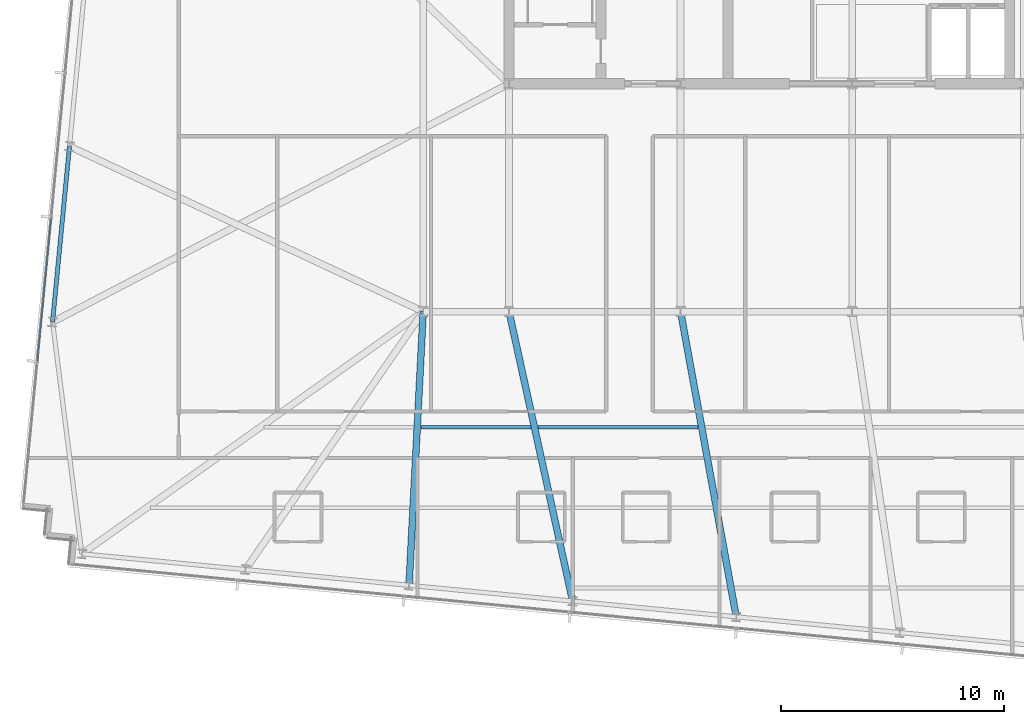
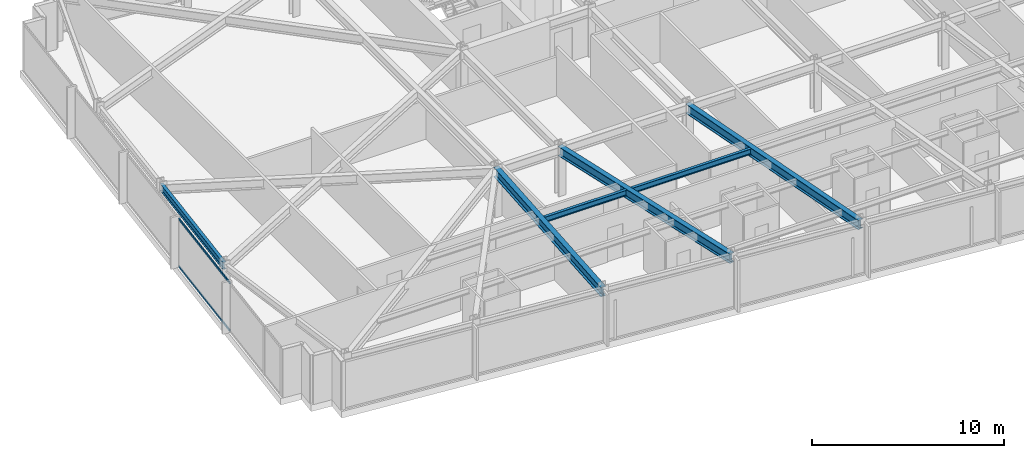
# One storey, part 7 of 37: 6 beams, 2 members, 1 element without a shape of its own.
"""IFC4 building model written with IfcOpenShell, lengths in metres."""

from ifc_helpers import new_model, si_unit, direction, frame, origin, origin_2d, place, context, subcontext, project, spatial, hollow_rectangle, i_section, extrude, material, material_profile, profile_set, type_object, element, aggregate, save


model = new_model("IFC4")

# Units and contexts
model_context = context("Model", 3, precision=1e-05, world=origin(), true_north=direction((0.0, 1.0)))
body_context = subcontext(model_context, "Body", "Model", "MODEL_VIEW")
ifc_project = project(units=[si_unit("LENGTHUNIT", "METRE"), si_unit("AREAUNIT", "SQUARE_METRE"), si_unit("VOLUMEUNIT", "CUBIC_METRE"), si_unit("PLANEANGLEUNIT", "RADIAN"), si_unit("MASSUNIT", "GRAM", prefix="KILO")], contexts=[model_context])

# Site, building, storey
site_placement = place(None, origin())
site = spatial("IfcSite", under=ifc_project, at=site_placement, CompositionType="ELEMENT")
building_placement = place(site_placement, origin())
building = spatial("IfcBuilding", under=site, at=building_placement, Name="Yelkora Congress Tower", CompositionType="ELEMENT")
storey_placement = place(building_placement, frame((0.0, 0.0, 149.0)))
storey = spatial("IfcBuildingStorey", under=building, at=storey_placement, Name="L40", CompositionType="ELEMENT", Elevation=149.0)

# Beams
ifc_material_1 = material(Name="Steel S355J2", Category="steel")
ifc_material_profile_1 = material_profile(ifc_material_1, i_section(OverallWidth=0.300048828125, OverallDepth=0.60009765625, WebThickness=0.015380859375, FlangeThickness=0.030029296875, FilletRadius=0.027099609375, at=origin_2d()), Name="HEB 600")
ifc_profile_set_1 = profile_set([ifc_material_profile_1], Name="Steel S355J2")
beam_type_1 = type_object("IfcBeamType", Name="BM-GIRD-HEB600", PredefinedType="BEAM", material=ifc_profile_set_1)
beam_1_placement = place(storey_placement, frame((18.56591796875, 12.947021484375, 2.780029296875), z_axis=(0.051676299428, 0.99866388744, 0.0), x_axis=(-0.99866388744, 0.051676299428, 0.0)))
element("IfcBeam", 1, at=beam_1_placement, inside=storey, type_object=beam_type_1, Name="L40 Primary Frame Girder S03", PredefinedType="BEAM", context=body_context, shape_type="SweptSolid", body=[
    extrude(i_section(OverallWidth=0.300048828125, OverallDepth=0.60009765625, WebThickness=0.015380859375, FlangeThickness=0.030029296875, FilletRadius=0.027099609375, at=origin_2d()), origin(), (0.0, 0.0, 1.0), 12.269287109375),
])
beam_2_placement = place(storey_placement, frame((25.888916015625, 12.24169921875, 2.780029296875), z_axis=(-0.214722420774, 0.976675115899, 0.0), x_axis=(-0.976675115899, -0.214722420774, 0.0)))
element("IfcBeam", 2, at=beam_2_placement, inside=storey, type_object=beam_type_1, Name="L40 Primary Frame Girder S04", PredefinedType="BEAM", context=body_context, shape_type="SweptSolid", body=[
    extrude(i_section(OverallWidth=0.300048828125, OverallDepth=0.60009765625, WebThickness=0.015380859375, FlangeThickness=0.030029296875, FilletRadius=0.027099609375, at=origin_2d()), origin(), (0.0, 0.0, 1.0), 13.267822265625),
])
beam_3_placement = place(storey_placement, frame((33.21240234375, 11.53662109375, 2.780029296875), z_axis=(-0.179456208566, 0.983765962619, 0.0), x_axis=(-0.983765962619, -0.179456208566, 0.0)))
element("IfcBeam", 3, at=beam_3_placement, inside=storey, type_object=beam_type_1, Name="L40 Primary Frame Girder S05", PredefinedType="BEAM", context=body_context, shape_type="SweptSolid", body=[
    extrude(i_section(OverallWidth=0.300048828125, OverallDepth=0.60009765625, WebThickness=0.015380859375, FlangeThickness=0.030029296875, FilletRadius=0.027099609375, at=origin_2d()), origin(), (0.0, 0.0, 1.0), 13.888916015625),
])
ifc_material_profile_2 = material_profile(ifc_material_1, i_section(OverallWidth=0.169921875, OverallDepth=0.360107421875, WebThickness=0.008056640625, FlangeThickness=0.0126953125, FilletRadius=0.01806640625, at=origin_2d()), Name="IPE 360")
ifc_profile_set_2 = profile_set([ifc_material_profile_2], Name="Steel S355J2")
beam_type_2 = type_object("IfcBeamType", Name="BM-JOIST-IPE360", PredefinedType="JOIST", material=ifc_profile_set_2)
beam_4_placement = place(storey_placement, frame((19.092041015625, 20.021240234375, 2.89990234375), z_axis=(1.0, 0.0, 0.0), x_axis=(0.0, 1.0, 0.0)))
element("IfcBeam", 4, at=beam_4_placement, inside=storey, type_object=beam_type_2, Name="L40 Composite Floor Joist 14", PredefinedType="JOIST", context=body_context, shape_type="SweptSolid", body=[
    extrude(i_section(OverallWidth=0.169921875, OverallDepth=0.360107421875, WebThickness=0.008056640625, FlangeThickness=0.0126953125, FilletRadius=0.01806640625, at=origin_2d()), origin(), (0.0, 0.0, 1.0), 4.926513671875),
])
beam_5_placement = place(storey_placement, frame((24.338623046875, 20.021240234375, 2.89990234375), z_axis=(1.0, 0.0, 0.0), x_axis=(0.0, 1.0, 0.0)))
element("IfcBeam", 5, at=beam_5_placement, inside=storey, type_object=beam_type_2, Name="L40 Composite Floor Joist 15", PredefinedType="JOIST", context=body_context, shape_type="SweptSolid", body=[
    extrude(i_section(OverallWidth=0.169921875, OverallDepth=0.360107421875, WebThickness=0.008056640625, FlangeThickness=0.0126953125, FilletRadius=0.01806640625, at=origin_2d()), origin(), (0.0, 0.0, 1.0), 7.166015625),
])
ifc_material_profile_3 = material_profile(ifc_material_1, i_section(OverallWidth=0.18994140625, OverallDepth=0.449951171875, WebThickness=0.009521484375, FlangeThickness=0.0146484375, FilletRadius=0.02099609375, at=origin_2d()), Name="IPE 450")
ifc_profile_set_3 = profile_set([ifc_material_profile_3], Name="Steel S355J2")
beam_type_3 = type_object("IfcBeamType", Name="BM-SPAN-IPE450", PredefinedType="SPANDREL", material=ifc_profile_set_3)
beam_6_placement = place(storey_placement, frame((3.364501953125, 32.594482421875, 2.85498046875), z_axis=(-0.095831353931, -0.995397584689, 0.0), x_axis=(0.995397584689, -0.095831353931, 0.0)))
element("IfcBeam", 6, at=beam_6_placement, inside=storey, type_object=beam_type_3, Name="L40 Perimeter Beam 18", PredefinedType="SPANDREL", context=body_context, shape_type="SweptSolid", body=[
    extrude(i_section(OverallWidth=0.18994140625, OverallDepth=0.449951171875, WebThickness=0.009521484375, FlangeThickness=0.0146484375, FilletRadius=0.02099609375, at=origin_2d()), origin(), (0.0, 0.0, 1.0), 7.900146484375),
])

# Curtain wall, members
ifc_material_2 = material(Name="Anodised aluminium and insulated glass", Category="aluminium")
curtain_wall_type = type_object("IfcCurtainWallType", Name="CW-SYS-B3", PredefinedType="NOTDEFINED", material=ifc_material_2)
curtain_wall_placement = place(storey_placement, origin())
curtain_wall = element("IfcCurtainWall", 7, at=curtain_wall_placement, inside=storey, type_object=curtain_wall_type, Name="L40 Unitised Curtain Wall 5", PredefinedType="NOTDEFINED")
ifc_material_3 = material(Name="Anodised aluminium 6063-T6", Category="aluminium")
ifc_material_profile_4 = material_profile(ifc_material_3, hollow_rectangle(XDim=0.06005859375, YDim=0.1298828125, WallThickness=0.00390625, at=origin_2d()), Name="ALU 60x130x4")
ifc_profile_set_4 = profile_set([ifc_material_profile_4], Name="Anodised aluminium 6063-T6")
member_type = type_object("IfcMemberType", Name="MEM-TR-B3", PredefinedType="USERDEFINED", material=ifc_profile_set_4)
member_1_placement = place(storey_placement, frame((1.92822265625, 22.996826171875, 0.030029296875), z_axis=(0.095843682057, 0.995396397728, 0.0), x_axis=(-0.995396397728, 0.095843682057, 0.0)))
member_1 = element("IfcMember", 8, at=member_1_placement, type_object=member_type, Name="CW-B3 transom 2.1", ObjectType="TRANSOM", PredefinedType="USERDEFINED", context=body_context, shape_type="SweptSolid", body=[
    extrude(hollow_rectangle(XDim=0.06005859375, YDim=0.1298828125, WallThickness=0.00390625, at=origin_2d()), origin(), (0.0, 0.0, 1.0), 6.4140625),
])
member_2_placement = place(storey_placement, frame((1.92822265625, 22.996826171875, 3.050048828125), z_axis=(0.095843682057, 0.995396397728, 0.0), x_axis=(-0.995396397728, 0.095843682057, 0.0)))
member_2 = element("IfcMember", 9, at=member_2_placement, type_object=member_type, Name="CW-B3 transom 2.2", ObjectType="TRANSOM", PredefinedType="USERDEFINED", context=body_context, shape_type="SweptSolid", body=[
    extrude(hollow_rectangle(XDim=0.06005859375, YDim=0.1298828125, WallThickness=0.00390625, at=origin_2d()), origin(), (0.0, 0.0, 1.0), 6.4140625),
])
aggregate(curtain_wall, [member_1, member_2])

save(model, "model.ifc")
